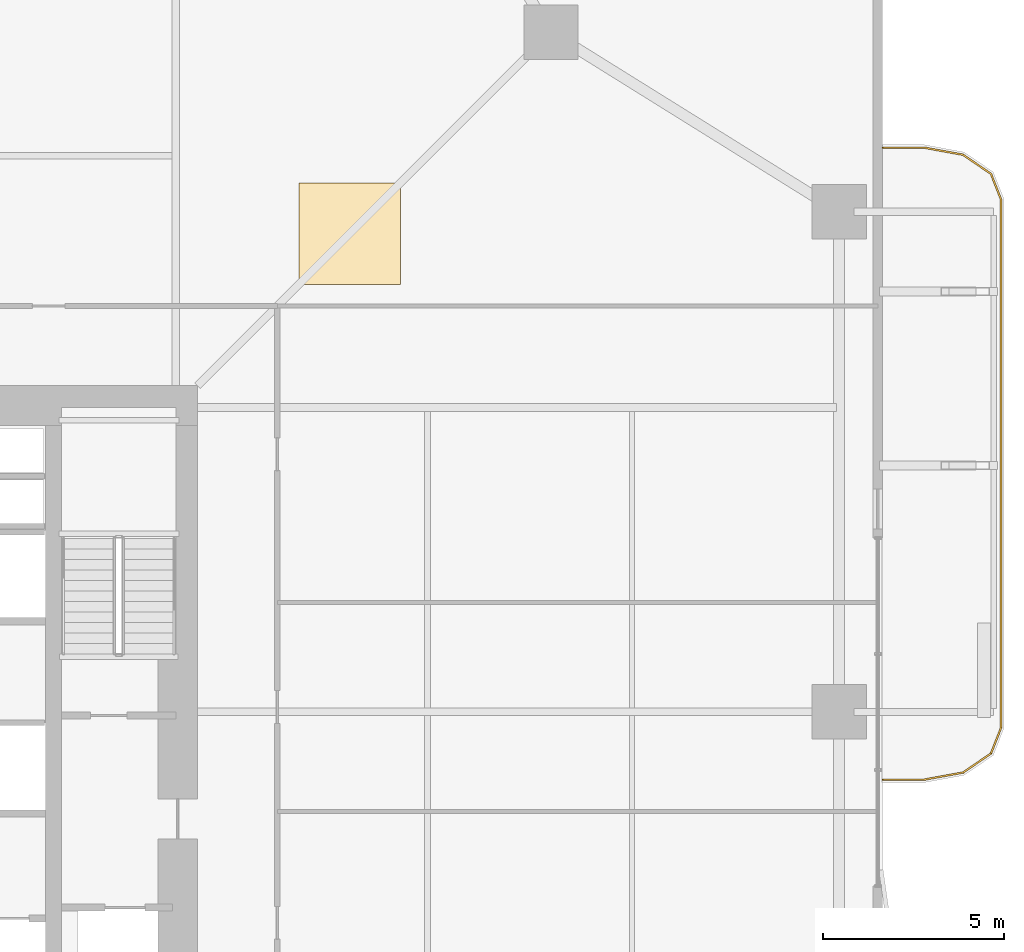
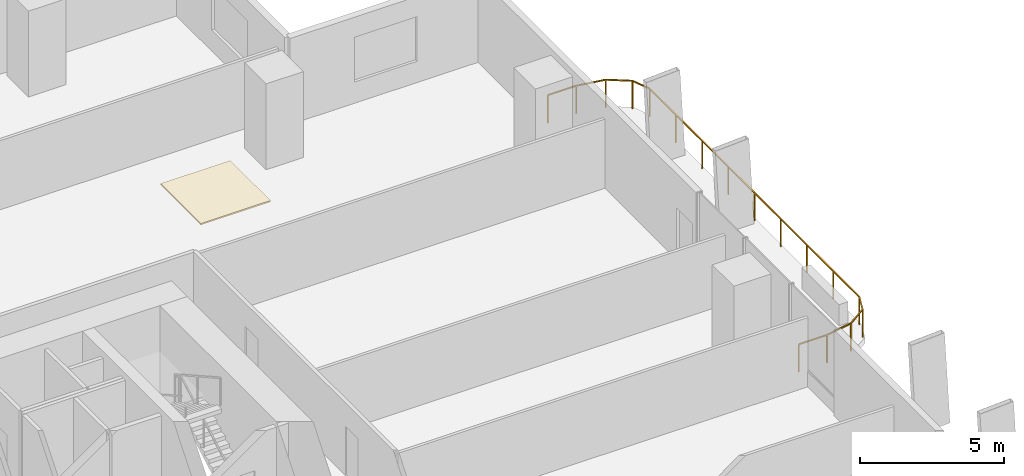
# One storey, part 24 of 24: 1 covering, 1 railing.
"""IFC4 building model written with IfcOpenShell, lengths in metres."""

import ifcopenshell
import ifcopenshell.guid

model = None  # the IFC model being written
_history = None  # IfcOwnerHistory: only IFC2X3 demands one
_inside = {}  # id of a spatial element -> (the spatial element, [elements in it])
_under = {}  # id of a project, library or spatial element -> (it, [spatial elements below it])
_declared = {}  # id of a project -> (the project, [libraries it declares])
_typed = {}  # id of a type object -> (the type object, [elements of that type])
_made_of = {}  # id of a material, layer set ... -> (it, [elements and type objects made of it])


def new_model(schema):
    """Start an empty IFC model of exactly this schema.

    Asked for "IFC4X3", IfcOpenShell would pick the latest addendum, in which some entities
    have other attributes; the version numbers below select the first issue.
    IFC2X3 requires an IfcOwnerHistory on every rooted entity: one is made here for all.
    """
    global model, _history
    if schema == "IFC4X3":
        model = ifcopenshell.file(schema_version=(4, 3, 0, 0))
    else:
        model = ifcopenshell.file(schema=schema)
    _inside.clear()
    _under.clear()
    _declared.clear()
    _typed.clear()
    _made_of.clear()
    _history = None
    if model.schema == "IFC2X3":
        org = make("IfcOrganization", Name="unknown")
        user = make(
            "IfcPersonAndOrganization",
            ThePerson=make("IfcPerson", FamilyName="unknown"),
            TheOrganization=org,
        )
        app = make(
            "IfcApplication",
            ApplicationDeveloper=org,
            Version="unknown",
            ApplicationFullName="unknown",
            ApplicationIdentifier="unknown",
        )
        _history = make(
            "IfcOwnerHistory",
            OwningUser=user,
            OwningApplication=app,
            ChangeAction="ADDED",
            CreationDate=0,
        )
    return model


def make(cls, **values):
    """One entity of the class cls with the attributes given. An attribute that is None is left unset."""
    return model.create_entity(
        cls, **{name: value for name, value in values.items() if value is not None}
    )


def rooted(cls, **values):
    """An entity with a GlobalId (a new one), such as an element, a storey or a relation."""
    return make(cls, GlobalId=ifcopenshell.guid.new(), OwnerHistory=_history, **values)


def si_unit(unit_type, name, prefix=None):
    """IfcSIUnit, for example si_unit("LENGTHUNIT", "METRE", prefix="MILLI")."""
    return make("IfcSIUnit", UnitType=unit_type, Prefix=prefix, Name=name)


def assignment(units):
    """IfcUnitAssignment: the units of a project."""
    return None if units is None else make("IfcUnitAssignment", Units=units)


def point(xyz):
    """IfcCartesianPoint."""
    return None if xyz is None else make("IfcCartesianPoint", Coordinates=xyz)


def direction(xyz):
    """IfcDirection."""
    return None if xyz is None else make("IfcDirection", DirectionRatios=xyz)


def frame(location, z_axis=None, x_axis=None):
    """IfcAxis2Placement3D, a coordinate frame: its origin and axes. An axis left out is left unset."""
    return make(
        "IfcAxis2Placement3D",
        Location=point(location),
        Axis=direction(z_axis),
        RefDirection=direction(x_axis),
    )


def frame_2d(location, x_axis=None):
    """IfcAxis2Placement2D, a coordinate frame in the plane: its origin and x axis."""
    return make(
        "IfcAxis2Placement2D", Location=point(location), RefDirection=direction(x_axis)
    )


def origin():
    """The frame at (0, 0, 0) with its axes left unset."""
    return frame((0.0, 0.0, 0.0))


def origin_2d():
    """The frame at (0, 0) in the plane with its x axis left unset."""
    return frame_2d((0.0, 0.0))


def place(relative_to, where):
    """IfcLocalPlacement: puts the frame where relative to a parent placement (None: the world)."""
    return make(
        "IfcLocalPlacement", PlacementRelTo=relative_to, RelativePlacement=where
    )


def context(
    kind, dimensions, precision=None, world=None, true_north=None, identifier=None
):
    """IfcGeometricRepresentationContext, for example the 3D "Model" context."""
    return make(
        "IfcGeometricRepresentationContext",
        ContextIdentifier=identifier,
        ContextType=kind,
        CoordinateSpaceDimension=dimensions,
        Precision=precision,
        WorldCoordinateSystem=world,
        TrueNorth=true_north,
    )


def subcontext(parent, identifier, kind, view, scale=None):
    """IfcGeometricRepresentationSubContext, for example "Body" below "Model"."""
    return make(
        "IfcGeometricRepresentationSubContext",
        ContextIdentifier=identifier,
        ContextType=kind,
        ParentContext=parent,
        TargetScale=scale,
        TargetView=view,
    )


def project(units=None, contexts=None):
    """IfcProject with its units and contexts."""
    return rooted(
        "IfcProject",
        Name="project",
        RepresentationContexts=contexts,
        UnitsInContext=assignment(units),
    )


def spatial(cls, under=None, at=None, **own):
    """A site, building, storey or space (cls), placed at a placement, below another one or the project."""
    s = rooted(cls, ObjectPlacement=at, **own)
    if under is not None:
        _under.setdefault(under.id(), (under, []))[1].append(s)
    return s


def polyline(points):
    """IfcPolyline through the points."""
    return make("IfcPolyline", Points=[point(p) for p in points])


def profile(cls, at=None, kind="AREA", **sizes):
    """A parametric profile (cls). Its sizes go by their IFC names, for example OverallWidth=200.0."""
    return make(cls, ProfileType=kind, Position=at, **sizes)


def rectangle(**sizes):
    """IfcRectangleProfileDef."""
    return profile("IfcRectangleProfileDef", **sizes)


def outline(outer, holes=None, kind="AREA"):
    """IfcArbitraryClosedProfileDef: a profile drawn as a closed curve; with holes, ...WithVoids."""
    if holes is None:
        return make("IfcArbitraryClosedProfileDef", ProfileType=kind, OuterCurve=outer)
    return make(
        "IfcArbitraryProfileDefWithVoids",
        ProfileType=kind,
        OuterCurve=outer,
        InnerCurves=holes,
    )


def extrude(swept, where, along, depth):
    """IfcExtrudedAreaSolid: the profile swept, set in the frame where, extruded along a direction by depth."""
    return make(
        "IfcExtrudedAreaSolid",
        SweptArea=swept,
        Position=where,
        ExtrudedDirection=direction(along),
        Depth=depth,
    )


def shape(context_of_items, identifier, shape_type, items):
    """IfcShapeRepresentation: the items that make up one representation, for example the "Body"."""
    return make(
        "IfcShapeRepresentation",
        ContextOfItems=context_of_items,
        RepresentationIdentifier=identifier,
        RepresentationType=shape_type,
        Items=items,
    )


def material(Name=None, Category=None):
    """IfcMaterial."""
    return make("IfcMaterial", Name=Name, Category=Category)


def layer(
    of_material, thickness, ventilated=None, Name=None, Category=None, Priority=None
):
    """IfcMaterialLayer: one layer of a wall or slab, of a material (None: an air gap)."""
    return make(
        "IfcMaterialLayer",
        Material=of_material,
        LayerThickness=thickness,
        IsVentilated=ventilated,
        Name=Name,
        Category=Category,
        Priority=Priority,
    )


def layer_set(layers, Name=None):
    """IfcMaterialLayerSet."""
    return make("IfcMaterialLayerSet", MaterialLayers=layers, LayerSetName=Name)


def made_of(thing, what):
    """Note that an element or type object is made of a material, layer set ...; save() writes the relation."""
    if what is not None:
        _made_of.setdefault(what.id(), (what, []))[1].append(thing)
    return thing


def type_object(cls, material=None, **own):
    """A type object (cls), such as IfcWallType, which elements share."""
    return made_of(rooted(cls, **own), material)


def element(
    cls,
    number,
    at=None,
    inside=None,
    cuts=None,
    type_object=None,
    material=None,
    context=None,
    identifier="Body",
    shape_type=None,
    held_by="IfcProductDefinitionShape",
    body=None,
    shapes=None,
    **own,
):
    """One element of the class cls, such as IfcWall. Its Tag is "e" and its number.

    at: its placement. inside: the storey or other place that contains it. cuts: it is an
    opening in that element (IfcRelVoidsElement). A single representation is given by context,
    identifier, shape_type and body (its items); several are given by shapes. held_by: the class
    of the entity that holds the representations. save() writes the other relations.
    """
    e = rooted(cls, Tag="e%d" % number, ObjectPlacement=at, **own)
    if body is not None:
        shapes = [shape(context, identifier, shape_type, body)]
    if shapes is not None:
        e.Representation = make(held_by, Representations=shapes)
    if inside is not None:
        _inside.setdefault(inside.id(), (inside, []))[1].append(e)
    if cuts is not None:
        rooted(
            "IfcRelVoidsElement", RelatingBuildingElement=cuts, RelatedOpeningElement=e
        )
    if type_object is not None:
        _typed.setdefault(type_object.id(), (type_object, []))[1].append(e)
    return made_of(e, material)


def aggregate(whole, parts):
    """IfcRelAggregates: a whole, such as a stair, and the parts it consists of."""
    return rooted("IfcRelAggregates", RelatingObject=whole, RelatedObjects=parts)


def save(model, path):
    """Write the relations noted so far, then the file.

    IfcRelAggregates (storeys below a building ...), IfcRelContainedInSpatialStructure (elements
    in a storey), IfcRelDefinesByType, IfcRelAssociatesMaterial and IfcRelDeclares: one each for
    every whole, place, type object, material and project.
    """
    for whole, parts in _under.values():
        aggregate(whole, parts)
    for where, things in _inside.values():
        rooted(
            "IfcRelContainedInSpatialStructure",
            RelatedElements=things,
            RelatingStructure=where,
        )
    for kind, things in _typed.values():
        rooted("IfcRelDefinesByType", RelatedObjects=things, RelatingType=kind)
    for what, things in _made_of.values():
        rooted("IfcRelAssociatesMaterial", RelatedObjects=things, RelatingMaterial=what)
    for by, libraries in _declared.values():
        rooted("IfcRelDeclares", RelatingContext=by, RelatedDefinitions=libraries)
    model.write(path)


model = new_model("IFC4")

# Units and contexts
model_context = context("Model", 3, precision=1e-05, world=origin(), true_north=direction((0.0, 1.0)))
body_context = subcontext(model_context, "Body", "Model", "MODEL_VIEW")
ifc_project = project(units=[si_unit("LENGTHUNIT", "METRE"), si_unit("AREAUNIT", "SQUARE_METRE"), si_unit("VOLUMEUNIT", "CUBIC_METRE"), si_unit("PLANEANGLEUNIT", "RADIAN"), si_unit("MASSUNIT", "GRAM", prefix="KILO")], contexts=[model_context])

# Site, building, storey
site_placement = place(None, origin())
site = spatial("IfcSite", under=ifc_project, at=site_placement, CompositionType="ELEMENT")
building_placement = place(site_placement, origin())
building = spatial("IfcBuilding", under=site, at=building_placement, Name="Belovzor Exchange Tower", CompositionType="ELEMENT")
storey_placement = place(building_placement, frame((0.0, 0.0, 49.5)))
storey = spatial("IfcBuildingStorey", under=building, at=storey_placement, Name="L11", CompositionType="ELEMENT", Elevation=49.5)

# Railing
ifc_material_1 = material(Name="Stainless Steel and Laminated Safety Glass", Category="steel")
railing_type = type_object("IfcRailingType", Name="Laminated Glass & Stainless Steel Balcony Balustrade 1200", PredefinedType="BALUSTRADE", material=ifc_material_1)
railing_placement = place(storey_placement, frame((56.7099609375, 26.929931640625, 0.0)))
element("IfcRailing", 1, at=railing_placement, inside=storey, type_object=railing_type, Name="GR-1 Balcony Balustrade L11 East", PredefinedType="BALUSTRADE", context=body_context, shape_type="SweptSolid", body=[
    extrude(rectangle(XDim=0.048095703125, YDim=0.048095703125, at=origin_2d()), frame((0.0, 0.0, 1.17578125), z_axis=(1.0, 0.0, 0.0), x_axis=(0.0, 1.0, 0.0)), (0.0, 0.0, 1.0), 1.133056640625),
    extrude(rectangle(XDim=0.048095703125, YDim=0.048095703125, at=origin_2d()), frame((1.133056640625, 0.0, 1.17578125), z_axis=(0.983644145941, 0.180122719713, 0.0), x_axis=(-0.180122719713, 0.983644145941, 0.0)), (0.0, 0.0, 1.0), 1.09375),
    extrude(rectangle(XDim=0.048095703125, YDim=0.048095703125, at=origin_2d()), frame((2.208984375, 0.197021484375, 1.17578125), z_axis=(0.826493025367, 0.56294695933, 0.0), x_axis=(-0.56294695933, 0.826493025367, 0.0)), (0.0, 0.0, 1.0), 0.932861328125),
    extrude(rectangle(XDim=0.048095703125, YDim=0.048095703125, at=origin_2d()), frame((2.97998046875, 0.72216796875, 1.17578125), z_axis=(0.365612923861, 0.930766990125, 0.0), x_axis=(-0.930766990125, 0.365612923861, 0.0)), (0.0, 0.0, 1.0), 0.765869140625),
    extrude(rectangle(XDim=0.048095703125, YDim=0.048095703125, at=origin_2d()), frame((3.260009765625, 1.43505859375, 1.17578125), z_axis=(0.0, 1.0, 0.0), x_axis=(-1.0, 0.0, 0.0)), (0.0, 0.0, 1.0), 14.570068359375),
    extrude(rectangle(XDim=0.048095703125, YDim=0.048095703125, at=origin_2d()), frame((3.260009765625, 16.005126953125, 1.17578125), z_axis=(-0.365612923861, 0.930766990125, 0.0), x_axis=(-0.930766990125, -0.365612923861, 0.0)), (0.0, 0.0, 1.0), 0.765869140625),
    extrude(rectangle(XDim=0.048095703125, YDim=0.048095703125, at=origin_2d()), frame((2.97998046875, 16.718017578125, 1.17578125), z_axis=(-0.826493025367, 0.56294695933, 0.0), x_axis=(-0.56294695933, -0.826493025367, 0.0)), (0.0, 0.0, 1.0), 0.932861328125),
    extrude(rectangle(XDim=0.048095703125, YDim=0.048095703125, at=origin_2d()), frame((2.208984375, 17.2431640625, 1.17578125), z_axis=(-0.983644145941, 0.180122719713, 0.0), x_axis=(-0.180122719713, -0.983644145941, 0.0)), (0.0, 0.0, 1.0), 1.09375),
    extrude(rectangle(XDim=0.048095703125, YDim=0.048095703125, at=origin_2d()), frame((1.133056640625, 17.440185546875, 1.17578125), z_axis=(-1.0, 0.0, 0.0), x_axis=(0.0, -1.0, 0.0)), (0.0, 0.0, 1.0), 1.133056640625),
    extrude(rectangle(XDim=0.0419921875, YDim=0.0419921875, at=origin_2d()), origin(), (0.0, 0.0, 1.0), 1.15185546875),
    extrude(rectangle(XDim=0.0419921875, YDim=0.0419921875, at=origin_2d()), frame((1.133056640625, 0.0, 0.0)), (0.0, 0.0, 1.0), 1.15185546875),
    extrude(rectangle(XDim=0.0419921875, YDim=0.0419921875, at=origin_2d()), frame((2.208984375, 0.197021484375, 0.0)), (0.0, 0.0, 1.0), 1.15185546875),
    extrude(rectangle(XDim=0.0419921875, YDim=0.0419921875, at=origin_2d()), frame((2.97998046875, 0.72216796875, 0.0)), (0.0, 0.0, 1.0), 1.15185546875),
    extrude(rectangle(XDim=0.0419921875, YDim=0.0419921875, at=origin_2d()), frame((3.260009765625, 1.43505859375, 0.0)), (0.0, 0.0, 1.0), 1.15185546875),
    extrude(rectangle(XDim=0.0419921875, YDim=0.0419921875, at=origin_2d()), frame((3.260009765625, 3.25634765625, 0.0)), (0.0, 0.0, 1.0), 1.15185546875),
    extrude(rectangle(XDim=0.0419921875, YDim=0.0419921875, at=origin_2d()), frame((3.260009765625, 5.07763671875, 0.0)), (0.0, 0.0, 1.0), 1.15185546875),
    extrude(rectangle(XDim=0.0419921875, YDim=0.0419921875, at=origin_2d()), frame((3.260009765625, 6.89892578125, 0.0)), (0.0, 0.0, 1.0), 1.15185546875),
    extrude(rectangle(XDim=0.0419921875, YDim=0.0419921875, at=origin_2d()), frame((3.260009765625, 8.72021484375, 0.0)), (0.0, 0.0, 1.0), 1.15185546875),
    extrude(rectangle(XDim=0.0419921875, YDim=0.0419921875, at=origin_2d()), frame((3.260009765625, 10.541259765625, 0.0)), (0.0, 0.0, 1.0), 1.15185546875),
    extrude(rectangle(XDim=0.0419921875, YDim=0.0419921875, at=origin_2d()), frame((3.260009765625, 12.362548828125, 0.0)), (0.0, 0.0, 1.0), 1.15185546875),
    extrude(rectangle(XDim=0.0419921875, YDim=0.0419921875, at=origin_2d()), frame((3.260009765625, 14.183837890625, 0.0)), (0.0, 0.0, 1.0), 1.15185546875),
    extrude(rectangle(XDim=0.0419921875, YDim=0.0419921875, at=origin_2d()), frame((3.260009765625, 16.005126953125, 0.0)), (0.0, 0.0, 1.0), 1.15185546875),
    extrude(rectangle(XDim=0.0419921875, YDim=0.0419921875, at=origin_2d()), frame((2.97998046875, 16.718017578125, 0.0)), (0.0, 0.0, 1.0), 1.15185546875),
    extrude(rectangle(XDim=0.0419921875, YDim=0.0419921875, at=origin_2d()), frame((2.208984375, 17.2431640625, 0.0)), (0.0, 0.0, 1.0), 1.15185546875),
    extrude(rectangle(XDim=0.0419921875, YDim=0.0419921875, at=origin_2d()), frame((1.133056640625, 17.440185546875, 0.0)), (0.0, 0.0, 1.0), 1.15185546875),
    extrude(rectangle(XDim=0.0419921875, YDim=0.0419921875, at=origin_2d()), frame((0.0, 17.440185546875, 0.0)), (0.0, 0.0, 1.0), 1.15185546875),
])

# Covering
ifc_material_2 = material(Name="Perforated Powder-Coated Aluminium", Category="aluminium")
ifc_layer = layer(ifc_material_2, 0.06005859375)
ifc_layer_set = layer_set([ifc_layer], Name="Perforated Powder-Coated Aluminium")
covering_type = type_object("IfcCoveringType", Name="Perforated Acoustic Metal Tile Suspended Ceiling 60", PredefinedType="CEILING", material=ifc_layer_set)
covering_placement = place(storey_placement, frame((0.0, 0.0, 3.590087890625)))
element("IfcCovering", 2, at=covering_placement, inside=storey, type_object=covering_type, Name="CLG-AC60 Suspended Ceiling CLG-L11-Z2", PredefinedType="CEILING", context=body_context, shape_type="SweptSolid", body=[
    extrude(outline(polyline([(40.60009765625, 40.60009765625), (43.39990234375, 40.60009765625), (43.39990234375, 43.39990234375), (40.60009765625, 43.39990234375), (40.60009765625, 40.60009765625)])), origin(), (0.0, 0.0, 1.0), 0.059814453125),
])

save(model, "model.ifc")
